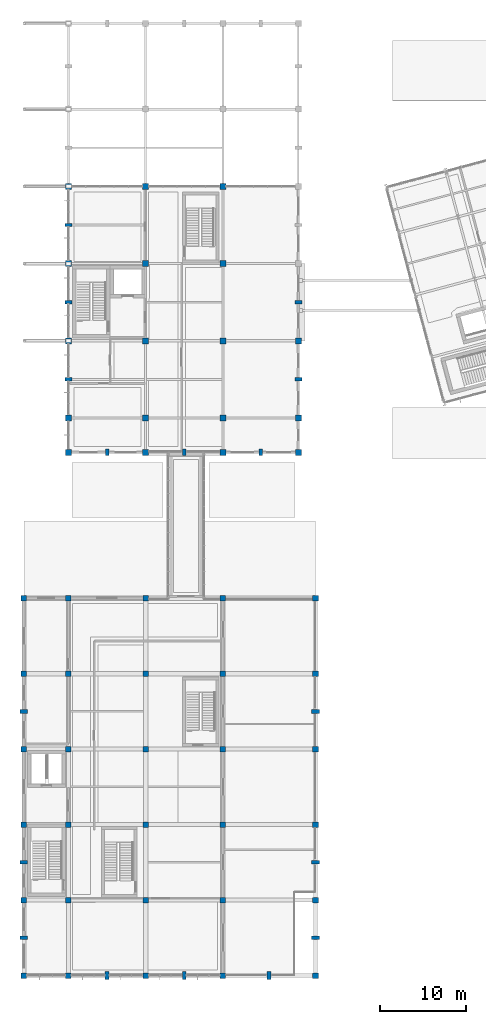
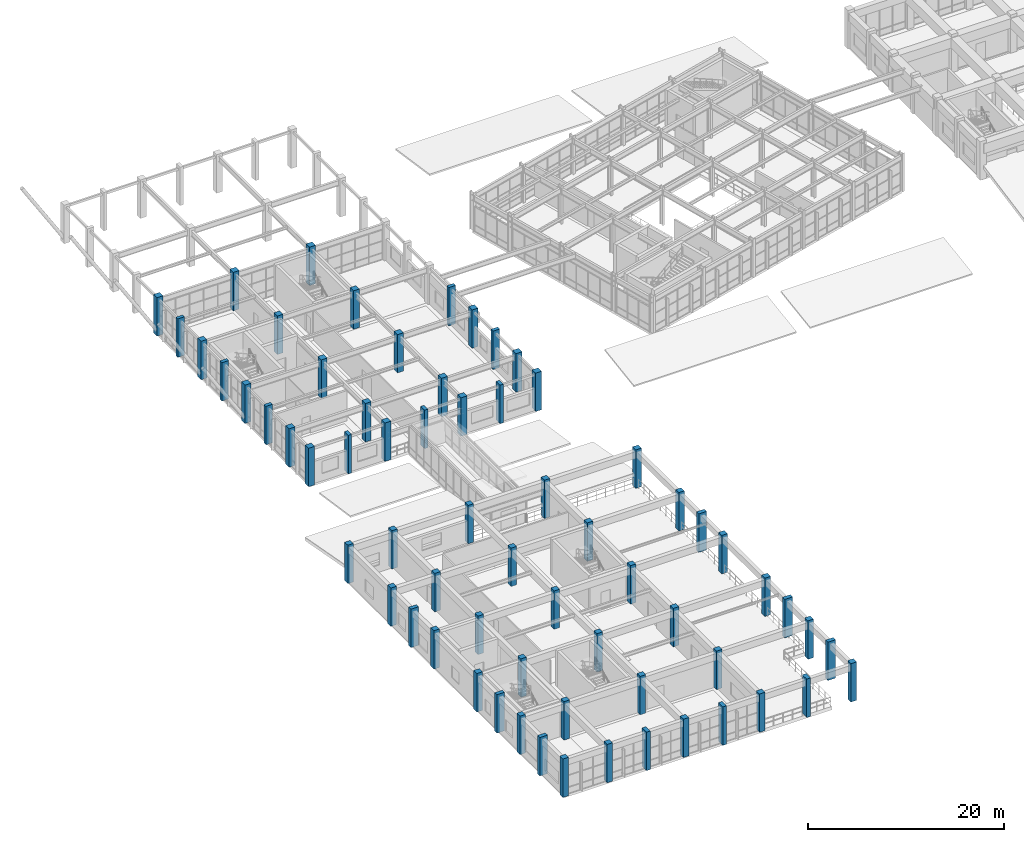
# One storey, part 1 of 104: 65 columns.
"""IFC4 building model written with IfcOpenShell, lengths in metres."""

import ifcopenshell
import ifcopenshell.guid

model = None  # the IFC model being written
_history = None  # IfcOwnerHistory: only IFC2X3 demands one
_inside = {}  # id of a spatial element -> (the spatial element, [elements in it])
_under = {}  # id of a project, library or spatial element -> (it, [spatial elements below it])
_declared = {}  # id of a project -> (the project, [libraries it declares])
_typed = {}  # id of a type object -> (the type object, [elements of that type])
_made_of = {}  # id of a material, layer set ... -> (it, [elements and type objects made of it])


def new_model(schema):
    """Start an empty IFC model of exactly this schema.

    Asked for "IFC4X3", IfcOpenShell would pick the latest addendum, in which some entities
    have other attributes; the version numbers below select the first issue.
    IFC2X3 requires an IfcOwnerHistory on every rooted entity: one is made here for all.
    """
    global model, _history
    if schema == "IFC4X3":
        model = ifcopenshell.file(schema_version=(4, 3, 0, 0))
    else:
        model = ifcopenshell.file(schema=schema)
    _inside.clear()
    _under.clear()
    _declared.clear()
    _typed.clear()
    _made_of.clear()
    _history = None
    if model.schema == "IFC2X3":
        org = make("IfcOrganization", Name="unknown")
        user = make(
            "IfcPersonAndOrganization",
            ThePerson=make("IfcPerson", FamilyName="unknown"),
            TheOrganization=org,
        )
        app = make(
            "IfcApplication",
            ApplicationDeveloper=org,
            Version="unknown",
            ApplicationFullName="unknown",
            ApplicationIdentifier="unknown",
        )
        _history = make(
            "IfcOwnerHistory",
            OwningUser=user,
            OwningApplication=app,
            ChangeAction="ADDED",
            CreationDate=0,
        )
    return model


def make(cls, **values):
    """One entity of the class cls with the attributes given. An attribute that is None is left unset."""
    return model.create_entity(
        cls, **{name: value for name, value in values.items() if value is not None}
    )


def rooted(cls, **values):
    """An entity with a GlobalId (a new one), such as an element, a storey or a relation."""
    return make(cls, GlobalId=ifcopenshell.guid.new(), OwnerHistory=_history, **values)


def si_unit(unit_type, name, prefix=None):
    """IfcSIUnit, for example si_unit("LENGTHUNIT", "METRE", prefix="MILLI")."""
    return make("IfcSIUnit", UnitType=unit_type, Prefix=prefix, Name=name)


def assignment(units):
    """IfcUnitAssignment: the units of a project."""
    return None if units is None else make("IfcUnitAssignment", Units=units)


def point(xyz):
    """IfcCartesianPoint."""
    return None if xyz is None else make("IfcCartesianPoint", Coordinates=xyz)


def direction(xyz):
    """IfcDirection."""
    return None if xyz is None else make("IfcDirection", DirectionRatios=xyz)


def frame(location, z_axis=None, x_axis=None):
    """IfcAxis2Placement3D, a coordinate frame: its origin and axes. An axis left out is left unset."""
    return make(
        "IfcAxis2Placement3D",
        Location=point(location),
        Axis=direction(z_axis),
        RefDirection=direction(x_axis),
    )


def frame_2d(location, x_axis=None):
    """IfcAxis2Placement2D, a coordinate frame in the plane: its origin and x axis."""
    return make(
        "IfcAxis2Placement2D", Location=point(location), RefDirection=direction(x_axis)
    )


def origin():
    """The frame at (0, 0, 0) with its axes left unset."""
    return frame((0.0, 0.0, 0.0))


def origin_2d():
    """The frame at (0, 0) in the plane with its x axis left unset."""
    return frame_2d((0.0, 0.0))


def place(relative_to, where):
    """IfcLocalPlacement: puts the frame where relative to a parent placement (None: the world)."""
    return make(
        "IfcLocalPlacement", PlacementRelTo=relative_to, RelativePlacement=where
    )


def context(
    kind, dimensions, precision=None, world=None, true_north=None, identifier=None
):
    """IfcGeometricRepresentationContext, for example the 3D "Model" context."""
    return make(
        "IfcGeometricRepresentationContext",
        ContextIdentifier=identifier,
        ContextType=kind,
        CoordinateSpaceDimension=dimensions,
        Precision=precision,
        WorldCoordinateSystem=world,
        TrueNorth=true_north,
    )


def subcontext(parent, identifier, kind, view, scale=None):
    """IfcGeometricRepresentationSubContext, for example "Body" below "Model"."""
    return make(
        "IfcGeometricRepresentationSubContext",
        ContextIdentifier=identifier,
        ContextType=kind,
        ParentContext=parent,
        TargetScale=scale,
        TargetView=view,
    )


def project(units=None, contexts=None):
    """IfcProject with its units and contexts."""
    return rooted(
        "IfcProject",
        Name="project",
        RepresentationContexts=contexts,
        UnitsInContext=assignment(units),
    )


def spatial(cls, under=None, at=None, **own):
    """A site, building, storey or space (cls), placed at a placement, below another one or the project."""
    s = rooted(cls, ObjectPlacement=at, **own)
    if under is not None:
        _under.setdefault(under.id(), (under, []))[1].append(s)
    return s


def profile(cls, at=None, kind="AREA", **sizes):
    """A parametric profile (cls). Its sizes go by their IFC names, for example OverallWidth=200.0."""
    return make(cls, ProfileType=kind, Position=at, **sizes)


def rectangle(**sizes):
    """IfcRectangleProfileDef."""
    return profile("IfcRectangleProfileDef", **sizes)


def extrude(swept, where, along, depth):
    """IfcExtrudedAreaSolid: the profile swept, set in the frame where, extruded along a direction by depth."""
    return make(
        "IfcExtrudedAreaSolid",
        SweptArea=swept,
        Position=where,
        ExtrudedDirection=direction(along),
        Depth=depth,
    )


def shape(context_of_items, identifier, shape_type, items):
    """IfcShapeRepresentation: the items that make up one representation, for example the "Body"."""
    return make(
        "IfcShapeRepresentation",
        ContextOfItems=context_of_items,
        RepresentationIdentifier=identifier,
        RepresentationType=shape_type,
        Items=items,
    )


def material(Name=None, Category=None):
    """IfcMaterial."""
    return make("IfcMaterial", Name=Name, Category=Category)


def material_profile(
    of_material, cross_section, Name=None, Category=None, Priority=None
):
    """IfcMaterialProfile: a cross section and its material."""
    return make(
        "IfcMaterialProfile",
        Name=Name,
        Material=of_material,
        Profile=cross_section,
        Priority=Priority,
        Category=Category,
    )


def profile_set(profiles, Name=None, composite=None):
    """IfcMaterialProfileSet."""
    return make(
        "IfcMaterialProfileSet",
        Name=Name,
        MaterialProfiles=profiles,
        CompositeProfile=composite,
    )


def made_of(thing, what):
    """Note that an element or type object is made of a material, layer set ...; save() writes the relation."""
    if what is not None:
        _made_of.setdefault(what.id(), (what, []))[1].append(thing)
    return thing


def type_object(cls, material=None, **own):
    """A type object (cls), such as IfcWallType, which elements share."""
    return made_of(rooted(cls, **own), material)


def element(
    cls,
    number,
    at=None,
    inside=None,
    cuts=None,
    type_object=None,
    material=None,
    context=None,
    identifier="Body",
    shape_type=None,
    held_by="IfcProductDefinitionShape",
    body=None,
    shapes=None,
    **own,
):
    """One element of the class cls, such as IfcWall. Its Tag is "e" and its number.

    at: its placement. inside: the storey or other place that contains it. cuts: it is an
    opening in that element (IfcRelVoidsElement). A single representation is given by context,
    identifier, shape_type and body (its items); several are given by shapes. held_by: the class
    of the entity that holds the representations. save() writes the other relations.
    """
    e = rooted(cls, Tag="e%d" % number, ObjectPlacement=at, **own)
    if body is not None:
        shapes = [shape(context, identifier, shape_type, body)]
    if shapes is not None:
        e.Representation = make(held_by, Representations=shapes)
    if inside is not None:
        _inside.setdefault(inside.id(), (inside, []))[1].append(e)
    if cuts is not None:
        rooted(
            "IfcRelVoidsElement", RelatingBuildingElement=cuts, RelatedOpeningElement=e
        )
    if type_object is not None:
        _typed.setdefault(type_object.id(), (type_object, []))[1].append(e)
    return made_of(e, material)


def aggregate(whole, parts):
    """IfcRelAggregates: a whole, such as a stair, and the parts it consists of."""
    return rooted("IfcRelAggregates", RelatingObject=whole, RelatedObjects=parts)


def save(model, path):
    """Write the relations noted so far, then the file.

    IfcRelAggregates (storeys below a building ...), IfcRelContainedInSpatialStructure (elements
    in a storey), IfcRelDefinesByType, IfcRelAssociatesMaterial and IfcRelDeclares: one each for
    every whole, place, type object, material and project.
    """
    for whole, parts in _under.values():
        aggregate(whole, parts)
    for where, things in _inside.values():
        rooted(
            "IfcRelContainedInSpatialStructure",
            RelatedElements=things,
            RelatingStructure=where,
        )
    for kind, things in _typed.values():
        rooted("IfcRelDefinesByType", RelatedObjects=things, RelatingType=kind)
    for what, things in _made_of.values():
        rooted("IfcRelAssociatesMaterial", RelatedObjects=things, RelatingMaterial=what)
    for by, libraries in _declared.values():
        rooted("IfcRelDeclares", RelatingContext=by, RelatedDefinitions=libraries)
    model.write(path)


model = new_model("IFC4")

# Units and contexts
model_context = context("Model", 3, precision=1e-05, world=origin(), true_north=direction((0.0, 1.0)))
body_context = subcontext(model_context, "Body", "Model", "MODEL_VIEW")
ifc_project = project(units=[si_unit("LENGTHUNIT", "METRE"), si_unit("AREAUNIT", "SQUARE_METRE"), si_unit("VOLUMEUNIT", "CUBIC_METRE"), si_unit("PLANEANGLEUNIT", "RADIAN"), si_unit("MASSUNIT", "GRAM", prefix="KILO")], contexts=[model_context])

# Site, building, storey
site_placement = place(None, origin())
site = spatial("IfcSite", under=ifc_project, at=site_placement, CompositionType="ELEMENT")
building_placement = place(site_placement, origin())
building = spatial("IfcBuilding", under=site, at=building_placement, Name="Ventoquebrada Cableway Terminal", CompositionType="ELEMENT")
storey_placement = place(building_placement, frame((0.0, 0.0, 4.800048828125)))
storey = spatial("IfcBuildingStorey", under=building, at=storey_placement, Name="L01", CompositionType="ELEMENT", Elevation=4.800048828125)

# Columns
ifc_material = material(Name="Concrete C40/50", Category="concrete")
ifc_material_profile_1 = material_profile(ifc_material, rectangle(XDim=0.64990234375, YDim=0.64990234375, at=origin_2d()), Name="RC-COL-650X650")
ifc_profile_set_1 = profile_set([ifc_material_profile_1], Name="Concrete C40/50")
column_type_1 = type_object("IfcColumnType", Name="COL-RC03", PredefinedType="COLUMN", material=ifc_profile_set_1)
for number, where, z_axis, x_axis, name in (
    (1, (3.0, 3.0, 0.0), (0.0, 0.0, 1.0), (1.0, 0.0, 0.0), "Structural column FC-0003"),
    (2, (3.0, 11.800048828125, 0.0), (0.0, 0.0, 1.0), (1.0, 0.0, 0.0), "Structural column FC-0006"),
    (3, (3.0, 20.60009765625, 0.0), (0.0, 0.0, 1.0), (1.0, 0.0, 0.0), "Structural column FC-0011"),
    (4, (3.0, 29.39990234375, 0.0), (0.0, 0.0, 1.0), (1.0, 0.0, 0.0), "Structural column FC-0016"),
    (5, (3.0, 38.199951171875, 0.0), (0.0, 0.0, 1.0), (1.0, 0.0, 0.0), "Structural column FC-0021"),
    (6, (3.0, 47.0, 0.0), (0.0, 0.0, 1.0), (1.0, 0.0, 0.0), "Structural column FC-0026"),
    (7, (8.199951171875, 3.0, 0.0), (0.0, 0.0, 1.0), (1.0, 0.0, 0.0), "Structural column FC-0031"),
    (8, (8.199951171875, 11.800048828125, 0.0), (0.0, 0.0, 1.0), (1.0, 0.0, 0.0), "Structural column FC-0034"),
    (9, (8.199951171875, 20.60009765625, 0.0), (0.0, 0.0, 1.0), (1.0, 0.0, 0.0), "Structural column FC-0039"),
    (10, (8.199951171875, 29.39990234375, 0.0), (0.0, 0.0, 1.0), (1.0, 0.0, 0.0), "Structural column FC-0044"),
    (11, (8.199951171875, 38.199951171875, 0.0), (0.0, 0.0, 1.0), (1.0, 0.0, 0.0), "Structural column FC-0049"),
    (12, (8.199951171875, 47.0, 0.0), (0.0, 0.0, 1.0), (1.0, 0.0, 0.0), "Structural column FC-0054"),
    (13, (17.199951171875, 3.0, 0.0), (0.0, 0.0, 1.0), (1.0, 0.0, 0.0), "Structural column FC-0059"),
    (14, (17.199951171875, 11.800048828125, 0.0), (0.0, 0.0, 1.0), (1.0, 0.0, 0.0), "Structural column FC-0062"),
    (15, (17.199951171875, 20.60009765625, 0.0), (0.0, 0.0, 1.0), (1.0, 0.0, 0.0), "Structural column FC-0067"),
    (16, (17.199951171875, 29.39990234375, 0.0), (0.0, 0.0, 1.0), (1.0, 0.0, 0.0), "Structural column FC-0072"),
    (17, (17.199951171875, 38.199951171875, 0.0), (0.0, 0.0, 1.0), (1.0, 0.0, 0.0), "Structural column FC-0077"),
    (18, (17.199951171875, 47.0, 0.0), (0.0, 0.0, 1.0), (1.0, 0.0, 0.0), "Structural column FC-0082"),
    (19, (26.199951171875, 3.0, 0.0), (0.0, 0.0, 1.0), (1.0, 0.0, 0.0), "Structural column FC-0087"),
    (20, (26.199951171875, 11.800048828125, 0.0), (0.0, 0.0, 1.0), (1.0, 0.0, 0.0), "Structural column FC-0090"),
    (21, (26.199951171875, 20.60009765625, 0.0), (0.0, 0.0, 1.0), (1.0, 0.0, 0.0), "Structural column FC-0095"),
    (22, (26.199951171875, 29.39990234375, 0.0), (0.0, 0.0, 1.0), (1.0, 0.0, 0.0), "Structural column FC-0100"),
    (23, (26.199951171875, 38.199951171875, 0.0), (0.0, 0.0, 1.0), (1.0, 0.0, 0.0), "Structural column FC-0105"),
    (24, (26.199951171875, 47.0, 0.0), (0.0, 0.0, 1.0), (1.0, 0.0, 0.0), "Structural column FC-0110"),
    (25, (37.0, 3.0, 0.0), (0.0, 0.0, 1.0), (1.0, 0.0, 0.0), "Structural column FC-0115"),
    (26, (37.0, 11.800048828125, 0.0), (0.0, 0.0, 1.0), (1.0, 0.0, 0.0), "Structural column FC-0118"),
    (27, (37.0, 20.60009765625, 0.0), (0.0, 0.0, 1.0), (1.0, 0.0, 0.0), "Structural column FC-0121"),
    (28, (37.0, 29.39990234375, 0.0), (0.0, 0.0, 1.0), (1.0, 0.0, 0.0), "Structural column FC-0124"),
    (29, (37.0, 38.199951171875, 0.0), (0.0, 0.0, 1.0), (1.0, 0.0, 0.0), "Structural column FC-0127"),
    (30, (37.0, 47.0, 0.0), (0.0, 0.0, 1.0), (1.0, 0.0, 0.0), "Structural column FC-0130"),
):
    element("IfcColumn", number, at=place(storey_placement, frame(where, z_axis=z_axis, x_axis=x_axis)), inside=storey, type_object=column_type_1, Name=name, PredefinedType="COLUMN", context=body_context, shape_type="SweptSolid", body=[
        extrude(rectangle(XDim=0.64990234375, YDim=0.64990234375, at=origin_2d()), origin(), (0.0, 0.0, 1.0), 4.800048828125),
    ])
ifc_material_profile_2 = material_profile(ifc_material, rectangle(XDim=0.699951171875, YDim=0.699951171875, at=origin_2d()), Name="RC-COL-700X700")
ifc_profile_set_2 = profile_set([ifc_material_profile_2], Name="Concrete C40/50")
column_type_2 = type_object("IfcColumnType", Name="COL-RC04", PredefinedType="COLUMN", material=ifc_profile_set_2)
for number, where, z_axis, x_axis, name in (
    (31, (8.199951171875, 64.0, 0.0), (0.0, 0.0, 1.0), (1.0, 0.0, 0.0), "Structural column FC-0176"),
    (32, (8.199951171875, 68.0, 0.0), (0.0, 0.0, 1.0), (1.0, 0.0, 0.0), "Structural column FC-0179"),
    (33, (8.199951171875, 77.0, 0.0), (0.0, 0.0, 1.0), (1.0, 0.0, 0.0), "Structural column FC-0183"),
    (34, (8.199951171875, 86.0, 0.0), (0.0, 0.0, 1.0), (1.0, 0.0, 0.0), "Structural column FC-0190"),
    (35, (8.199951171875, 95.0, 0.0), (0.0, 0.0, 1.0), (1.0, 0.0, 0.0), "Structural column FC-0197"),
    (36, (17.199951171875, 64.0, 0.0), (0.0, 0.0, 1.0), (1.0, 0.0, 0.0), "Structural column FC-0216"),
    (37, (17.199951171875, 68.0, 0.0), (0.0, 0.0, 1.0), (1.0, 0.0, 0.0), "Structural column FC-0219"),
    (38, (17.199951171875, 77.0, 0.0), (0.0, 0.0, 1.0), (1.0, 0.0, 0.0), "Structural column FC-0223"),
    (39, (17.199951171875, 86.0, 0.0), (0.0, 0.0, 1.0), (1.0, 0.0, 0.0), "Structural column FC-0230"),
    (40, (17.199951171875, 95.0, 0.0), (0.0, 0.0, 1.0), (1.0, 0.0, 0.0), "Structural column FC-0237"),
    (41, (26.199951171875, 64.0, 0.0), (0.0, 0.0, 1.0), (1.0, 0.0, 0.0), "Structural column FC-0256"),
    (42, (26.199951171875, 68.0, 0.0), (0.0, 0.0, 1.0), (1.0, 0.0, 0.0), "Structural column FC-0259"),
    (43, (26.199951171875, 77.0, 0.0), (0.0, 0.0, 1.0), (1.0, 0.0, 0.0), "Structural column FC-0263"),
    (44, (26.199951171875, 86.0, 0.0), (0.0, 0.0, 1.0), (1.0, 0.0, 0.0), "Structural column FC-0270"),
    (45, (26.199951171875, 95.0, 0.0), (0.0, 0.0, 1.0), (1.0, 0.0, 0.0), "Structural column FC-0277"),
    (46, (35.0, 64.0, 0.0), (0.0, 0.0, 1.0), (1.0, 0.0, 0.0), "Structural column FC-0296"),
    (47, (35.0, 68.0, 0.0), (0.0, 0.0, 1.0), (1.0, 0.0, 0.0), "Structural column FC-0299"),
    (48, (35.0, 77.0, 0.0), (0.0, 0.0, 1.0), (1.0, 0.0, 0.0), "Structural column FC-0303"),
):
    element("IfcColumn", number, at=place(storey_placement, frame(where, z_axis=z_axis, x_axis=x_axis)), inside=storey, type_object=column_type_2, Name=name, PredefinedType="COLUMN", context=body_context, shape_type="SweptSolid", body=[
        extrude(rectangle(XDim=0.699951171875, YDim=0.699951171875, at=origin_2d()), origin(), (0.0, 0.0, 1.0), 4.800048828125),
    ])
ifc_material_profile_3 = material_profile(ifc_material, rectangle(XDim=0.39990234375, YDim=0.800048828125, at=origin_2d()), Name="RC-PIL-400X800")
ifc_profile_set_3 = profile_set([ifc_material_profile_3], Name="Concrete C40/50")
column_type_3 = type_object("IfcColumnType", Name="PIL-RC01", PredefinedType="PILASTER", material=ifc_profile_set_3)
for number, where, z_axis, x_axis, name in (
    (49, (12.699951171875, 64.0, 0.0), (0.0, 0.0, 1.0), (1.0, 0.0, 0.0), "Facade pilaster FPL-0328"),
    (50, (21.699951171875, 64.0, 0.0), (0.0, 0.0, 1.0), (1.0, 0.0, 0.0), "Facade pilaster FPL-0331"),
    (51, (30.60009765625, 64.0, 0.0), (0.0, 0.0, 1.0), (1.0, 0.0, 0.0), "Facade pilaster FPL-0334"),
    (52, (8.199951171875, 72.5, 0.0), (0.0, 0.0, 1.0), (0.0, 1.0, 0.0), "Facade pilaster FPL-0352"),
    (53, (8.199951171875, 81.5, 0.0), (0.0, 0.0, 1.0), (0.0, 1.0, 0.0), "Facade pilaster FPL-0356"),
    (54, (8.199951171875, 90.5, 0.0), (0.0, 0.0, 1.0), (0.0, 1.0, 0.0), "Facade pilaster FPL-0363"),
    (55, (35.0, 72.5, 0.0), (0.0, 0.0, 1.0), (0.0, 1.0, 0.0), "Facade pilaster FPL-0382"),
    (56, (35.0, 81.5, 0.0), (0.0, 0.0, 1.0), (0.0, 1.0, 0.0), "Facade pilaster FPL-0386"),
):
    element("IfcColumn", number, at=place(storey_placement, frame(where, z_axis=z_axis, x_axis=x_axis)), inside=storey, type_object=column_type_3, Name=name, PredefinedType="PILASTER", context=body_context, shape_type="SweptSolid", body=[
        extrude(rectangle(XDim=0.39990234375, YDim=0.800048828125, at=origin_2d()), origin(), (0.0, 0.0, 1.0), 4.800048828125),
    ])
ifc_material_profile_4 = material_profile(ifc_material, rectangle(XDim=0.449951171875, YDim=0.89990234375, at=origin_2d()), Name="RC-PIL-450X900")
ifc_profile_set_4 = profile_set([ifc_material_profile_4], Name="Concrete C40/50")
column_type_4 = type_object("IfcColumnType", Name="PIL-RC02", PredefinedType="PILASTER", material=ifc_profile_set_4)
for number, where, z_axis, x_axis, name in (
    (57, (12.699951171875, 3.0, 0.0), (0.0, 0.0, 1.0), (1.0, 0.0, 0.0), "Facade pilaster FPL-0135"),
    (58, (21.699951171875, 3.0, 0.0), (0.0, 0.0, 1.0), (1.0, 0.0, 0.0), "Facade pilaster FPL-0138"),
    (59, (31.60009765625, 3.0, 0.0), (0.0, 0.0, 1.0), (1.0, 0.0, 0.0), "Facade pilaster FPL-0141"),
    (60, (3.0, 7.39990234375, 0.0), (0.0, 0.0, 1.0), (0.0, 1.0, 0.0), "Facade pilaster FPL-0150"),
    (61, (3.0, 16.199951171875, 0.0), (0.0, 0.0, 1.0), (0.0, 1.0, 0.0), "Facade pilaster FPL-0153"),
    (62, (3.0, 33.800048828125, 0.0), (0.0, 0.0, 1.0), (0.0, 1.0, 0.0), "Facade pilaster FPL-0158"),
    (63, (37.0, 7.39990234375, 0.0), (0.0, 0.0, 1.0), (0.0, 1.0, 0.0), "Facade pilaster FPL-0165"),
    (64, (37.0, 16.199951171875, 0.0), (0.0, 0.0, 1.0), (0.0, 1.0, 0.0), "Facade pilaster FPL-0168"),
    (65, (37.0, 33.800048828125, 0.0), (0.0, 0.0, 1.0), (0.0, 1.0, 0.0), "Facade pilaster FPL-0171"),
):
    element("IfcColumn", number, at=place(storey_placement, frame(where, z_axis=z_axis, x_axis=x_axis)), inside=storey, type_object=column_type_4, Name=name, PredefinedType="PILASTER", context=body_context, shape_type="SweptSolid", body=[
        extrude(rectangle(XDim=0.449951171875, YDim=0.89990234375, at=origin_2d()), origin(), (0.0, 0.0, 1.0), 4.800048828125),
    ])

save(model, "model.ifc")
